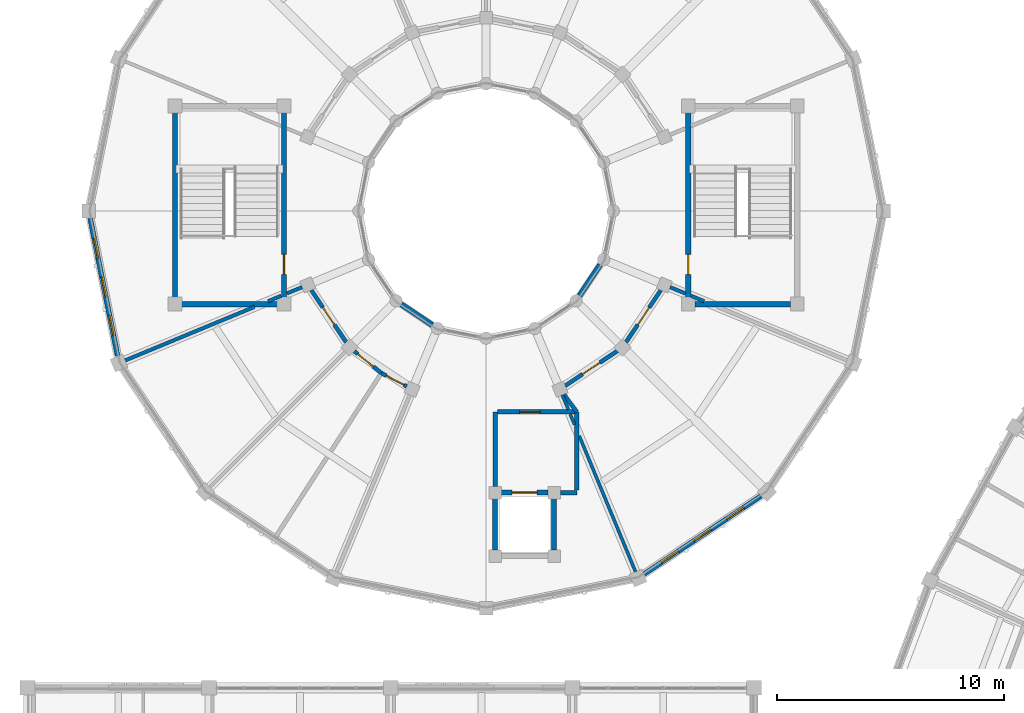
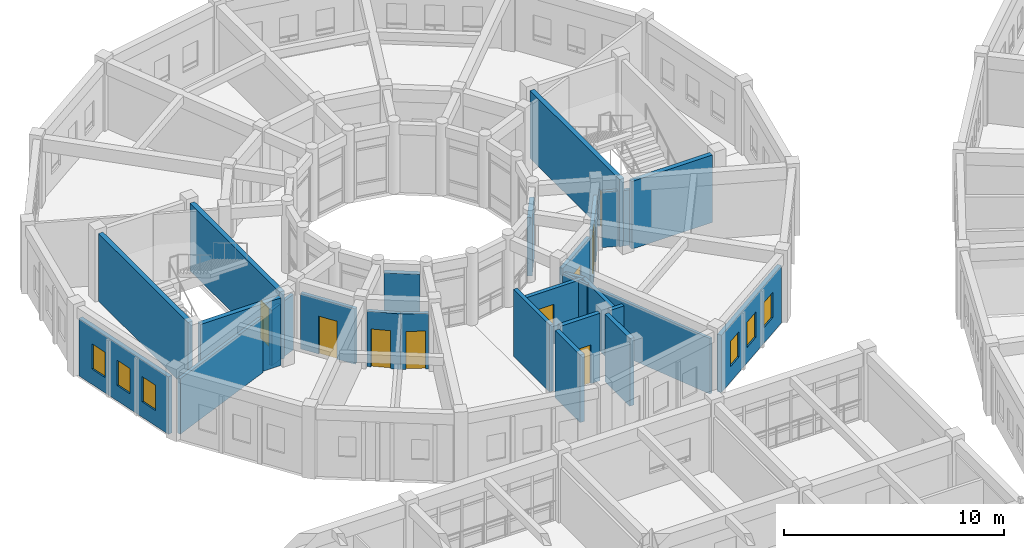
# One storey, part 84 of 112: 30 walls, 9 doors, 6 windows, 15 openings.
"""IFC4 building model written with IfcOpenShell, lengths in metres."""

from ifc_helpers import new_model, si_unit, direction, frame, frame_2d, origin, place, context, subcontext, project, spatial, rectangle, extrude, material, layer, layer_set, type_object, element, fill, save


model = new_model("IFC4")

# Units and contexts
model_context = context("Model", 3, precision=1e-05, world=origin(), true_north=direction((0.0, 1.0)))
body_context = subcontext(model_context, "Body", "Model", "MODEL_VIEW")
ifc_project = project(units=[si_unit("LENGTHUNIT", "METRE"), si_unit("AREAUNIT", "SQUARE_METRE"), si_unit("VOLUMEUNIT", "CUBIC_METRE"), si_unit("PLANEANGLEUNIT", "RADIAN"), si_unit("MASSUNIT", "GRAM", prefix="KILO")], contexts=[model_context])

# Site, building, storey
site_placement = place(None, origin())
site = spatial("IfcSite", under=ifc_project, at=site_placement, CompositionType="ELEMENT")
building_placement = place(site_placement, origin())
building = spatial("IfcBuilding", under=site, at=building_placement, Name="Celadon Cloister-Ring School", CompositionType="ELEMENT")
storey_placement = place(building_placement, frame((0.0, 0.0, 8.5)))
storey = spatial("IfcBuildingStorey", under=building, at=storey_placement, Name="L02", CompositionType="ELEMENT", Elevation=8.5)

# Walls
ifc_material_1 = material(Name="Rendered concrete blockwork", Category="masonry")
ifc_layer_1 = layer(ifc_material_1, 0.239990234375)
ifc_layer_set_1 = layer_set([ifc_layer_1], Name="Rendered concrete blockwork")
wall_type_1 = type_object("IfcWallType", Name="WT-EX3", PredefinedType="SOLIDWALL", material=ifc_layer_set_1)
for number, where, z_axis, x_axis, name in (
    (1, (16.469970703125, 92.885986328125, 0.0), (0.0, 0.0, 1.0), (0.83165874011, -0.555287078904, 0.0), "Exterior Wall 0264"),
    (2, (24.31396484375, 93.27001953125, 0.0), (0.0, 0.0, 1.0), (0.555287078904, 0.83165874011, 0.0), "Exterior Wall 0269"),
):
    element("IfcWall", number, at=place(storey_placement, frame(where, z_axis=z_axis, x_axis=x_axis)), inside=storey, type_object=wall_type_1, Name=name, PredefinedType="SOLIDWALL", context=body_context, shape_type="SweptSolid", body=[
        extrude(rectangle(XDim=1.631591796875, YDim=0.239990234375, at=frame_2d((0.81591796875, 0.0))), origin(), (0.0, 0.0, 1.0), 3.221923828125),
    ])

# Wall, openings, windows
ifc_material_2 = material(Name="Perforated terracotta clay brick masonry", Category="masonry")
ifc_layer_2 = layer(ifc_material_2, 0.219970703125)
ifc_layer_set_2 = layer_set([ifc_layer_2], Name="Perforated terracotta clay brick masonry")
wall_type_2 = type_object("IfcWallType", Name="WT-EX4", PredefinedType="SOLIDWALL", material=ifc_layer_set_2)
wall_1_placement = place(storey_placement, frame((3.968017578125, 90.6259765625, 0.0), z_axis=(0.0, 0.0, 1.0), x_axis=(-0.195164813773, 0.980770460131, 0.0)))
wall_1 = element("IfcWall", 3, at=wall_1_placement, inside=storey, type_object=wall_type_2, Name="Exterior Wall 0261", PredefinedType="SOLIDWALL", context=body_context, shape_type="SweptSolid", body=[
    extrude(rectangle(XDim=6.169677734375, YDim=0.219970703125, at=frame_2d((3.0849609375, 0.0))), origin(), (0.0, 0.0, 1.0), 3.172119140625),
])
opening_1_placement = place(wall_1_placement, frame((0.906982421875, 0.0, 0.85009765625)))
opening_1 = element("IfcOpeningElement", 4, at=opening_1_placement, cuts=wall_1, Name="Opening WN-21", PredefinedType="OPENING", context=body_context, shape_type="SweptSolid", body=[
    extrude(rectangle(XDim=0.89990234375, YDim=1.39990234375, at=frame_2d((0.449951171875, 0.699951171875))), frame((0.0, 0.1201171875, 0.0), z_axis=(0.0, -1.0, 0.0), x_axis=(1.0, 0.0, 0.0)), (0.0, 0.0, 1.0), 0.239990234375),
])
opening_2_placement = place(wall_1_placement, frame((2.635009765625, 0.0, 0.85009765625)))
opening_2 = element("IfcOpeningElement", 5, at=opening_2_placement, cuts=wall_1, Name="Opening WN-21", PredefinedType="OPENING", context=body_context, shape_type="SweptSolid", body=[
    extrude(rectangle(XDim=0.89990234375, YDim=1.39990234375, at=frame_2d((0.449951171875, 0.699951171875))), frame((0.0, 0.1201171875, 0.0), z_axis=(0.0, -1.0, 0.0), x_axis=(1.0, 0.0, 0.0)), (0.0, 0.0, 1.0), 0.239990234375),
])
opening_3_placement = place(wall_1_placement, frame((4.362060546875, 0.0, 0.85009765625)))
opening_3 = element("IfcOpeningElement", 6, at=opening_3_placement, cuts=wall_1, Name="Opening WN-21", PredefinedType="OPENING", context=body_context, shape_type="SweptSolid", body=[
    extrude(rectangle(XDim=0.89990234375, YDim=1.39990234375, at=frame_2d((0.449951171875, 0.699951171875))), frame((0.0, 0.1201171875, 0.0), z_axis=(0.0, -1.0, 0.0), x_axis=(1.0, 0.0, 0.0)), (0.0, 0.0, 1.0), 0.239990234375),
])
ifc_material_3 = material(Name="Tempered laminated insulating glass", Category="glass")
window_type = type_object("IfcWindowType", Name="WN-21", PartitioningType="SINGLE_PANEL", PredefinedType="WINDOW", material=ifc_material_3)
window_1_placement = place(opening_1_placement, origin())
window_1 = element("IfcWindow", 7, at=window_1_placement, inside=storey, type_object=window_type, Name="Window 0691", OverallHeight=1.39990234375, OverallWidth=0.89990234375, PartitioningType="SINGLE_PANEL", PredefinedType="WINDOW", context=body_context, shape_type="SweptSolid", body=[
    extrude(rectangle(XDim=0.89990234375, YDim=1.39990234375, at=frame_2d((0.449951171875, 0.699951171875))), frame((0.0, 0.030029296875, 0.0), z_axis=(0.0, -1.0, 0.0), x_axis=(1.0, 0.0, 0.0)), (0.0, 0.0, 1.0), 0.06005859375),
])
fill(opening_1, window_1)
window_2_placement = place(opening_2_placement, origin())
window_2 = element("IfcWindow", 8, at=window_2_placement, inside=storey, type_object=window_type, Name="Window 0692", OverallHeight=1.39990234375, OverallWidth=0.89990234375, PartitioningType="SINGLE_PANEL", PredefinedType="WINDOW", context=body_context, shape_type="SweptSolid", body=[
    extrude(rectangle(XDim=0.89990234375, YDim=1.39990234375, at=frame_2d((0.449951171875, 0.699951171875))), frame((0.0, 0.030029296875, 0.0), z_axis=(0.0, -1.0, 0.0), x_axis=(1.0, 0.0, 0.0)), (0.0, 0.0, 1.0), 0.06005859375),
])
fill(opening_2, window_2)
window_3_placement = place(opening_3_placement, origin())
window_3 = element("IfcWindow", 9, at=window_3_placement, inside=storey, type_object=window_type, Name="Window 0693", OverallHeight=1.39990234375, OverallWidth=0.89990234375, PartitioningType="SINGLE_PANEL", PredefinedType="WINDOW", context=body_context, shape_type="SweptSolid", body=[
    extrude(rectangle(XDim=0.89990234375, YDim=1.39990234375, at=frame_2d((0.449951171875, 0.699951171875))), frame((0.0, 0.030029296875, 0.0), z_axis=(0.0, -1.0, 0.0), x_axis=(1.0, 0.0, 0.0)), (0.0, 0.0, 1.0), 0.06005859375),
])
fill(opening_3, window_3)

wall_2_placement = place(storey_placement, frame((32.300048828125, 84.443115234375, 0.0), z_axis=(0.0, 0.0, 1.0), x_axis=(-0.831392186772, -0.55568609104, 0.0)))
wall_2 = element("IfcWall", 10, at=wall_2_placement, inside=storey, type_object=wall_type_2, Name="Exterior Wall 0267", PredefinedType="SOLIDWALL", context=body_context, shape_type="SweptSolid", body=[
    extrude(rectangle(XDim=6.16943359375, YDim=0.219970703125, at=frame_2d((3.084716796875, 0.0))), origin(), (0.0, 0.0, 1.0), 3.172119140625),
])
opening_4_placement = place(wall_2_placement, frame((0.906982421875, 0.0, 0.85009765625)))
opening_4 = element("IfcOpeningElement", 11, at=opening_4_placement, cuts=wall_2, Name="Opening WN-21", PredefinedType="OPENING", context=body_context, shape_type="SweptSolid", body=[
    extrude(rectangle(XDim=0.89990234375, YDim=1.39990234375, at=frame_2d((0.449951171875, 0.699951171875))), frame((0.0, 0.1201171875, 0.0), z_axis=(0.0, -1.0, 0.0), x_axis=(1.0, 0.0, 0.0)), (0.0, 0.0, 1.0), 0.239990234375),
])
opening_5_placement = place(wall_2_placement, frame((2.635009765625, 0.0, 0.85009765625)))
opening_5 = element("IfcOpeningElement", 12, at=opening_5_placement, cuts=wall_2, Name="Opening WN-21", PredefinedType="OPENING", context=body_context, shape_type="SweptSolid", body=[
    extrude(rectangle(XDim=0.89990234375, YDim=1.39990234375, at=frame_2d((0.449951171875, 0.699951171875))), frame((0.0, 0.1201171875, 0.0), z_axis=(0.0, -1.0, 0.0), x_axis=(1.0, 0.0, 0.0)), (0.0, 0.0, 1.0), 0.239990234375),
])
opening_6_placement = place(wall_2_placement, frame((4.362060546875, 0.0, 0.85009765625)))
opening_6 = element("IfcOpeningElement", 13, at=opening_6_placement, cuts=wall_2, Name="Opening WN-21", PredefinedType="OPENING", context=body_context, shape_type="SweptSolid", body=[
    extrude(rectangle(XDim=0.89990234375, YDim=1.39990234375, at=frame_2d((0.449951171875, 0.699951171875))), frame((0.0, 0.1201171875, 0.0), z_axis=(0.0, -1.0, 0.0), x_axis=(1.0, 0.0, 0.0)), (0.0, 0.0, 1.0), 0.239990234375),
])
window_4_placement = place(opening_4_placement, origin())
window_4 = element("IfcWindow", 14, at=window_4_placement, inside=storey, type_object=window_type, Name="Window 0705", OverallHeight=1.39990234375, OverallWidth=0.89990234375, PartitioningType="SINGLE_PANEL", PredefinedType="WINDOW", context=body_context, shape_type="SweptSolid", body=[
    extrude(rectangle(XDim=0.89990234375, YDim=1.39990234375, at=frame_2d((0.449951171875, 0.699951171875))), frame((0.0, 0.030029296875, 0.0), z_axis=(0.0, -1.0, 0.0), x_axis=(1.0, 0.0, 0.0)), (0.0, 0.0, 1.0), 0.06005859375),
])
fill(opening_4, window_4)
window_5_placement = place(opening_5_placement, origin())
window_5 = element("IfcWindow", 15, at=window_5_placement, inside=storey, type_object=window_type, Name="Window 0706", OverallHeight=1.39990234375, OverallWidth=0.89990234375, PartitioningType="SINGLE_PANEL", PredefinedType="WINDOW", context=body_context, shape_type="SweptSolid", body=[
    extrude(rectangle(XDim=0.89990234375, YDim=1.39990234375, at=frame_2d((0.449951171875, 0.699951171875))), frame((0.0, 0.030029296875, 0.0), z_axis=(0.0, -1.0, 0.0), x_axis=(1.0, 0.0, 0.0)), (0.0, 0.0, 1.0), 0.06005859375),
])
fill(opening_5, window_5)
window_6_placement = place(opening_6_placement, origin())
window_6 = element("IfcWindow", 16, at=window_6_placement, inside=storey, type_object=window_type, Name="Window 0707", OverallHeight=1.39990234375, OverallWidth=0.89990234375, PartitioningType="SINGLE_PANEL", PredefinedType="WINDOW", context=body_context, shape_type="SweptSolid", body=[
    extrude(rectangle(XDim=0.89990234375, YDim=1.39990234375, at=frame_2d((0.449951171875, 0.699951171875))), frame((0.0, 0.030029296875, 0.0), z_axis=(0.0, -1.0, 0.0), x_axis=(1.0, 0.0, 0.0)), (0.0, 0.0, 1.0), 0.06005859375),
])
fill(opening_6, window_6)

# Walls
ifc_material_4 = material(Name="Plastered hollow concrete masonry", Category="masonry")
ifc_layer_3 = layer(ifc_material_4, 0.199951171875)
ifc_layer_set_3 = layer_set([ifc_layer_3], Name="Plastered hollow concrete masonry")
wall_type_3 = type_object("IfcWallType", Name="WT-PT1", PredefinedType="PARTITIONING", material=ifc_layer_set_3)
wall_3_placement = place(storey_placement, frame((23.467041015625, 84.60009765625, 0.0), z_axis=(0.0, 0.0, 1.0), x_axis=(1.0, 0.0, 0.0)))
element("IfcWall", 17, at=wall_3_placement, inside=storey, type_object=wall_type_3, Name="Interior Wall 0355", PredefinedType="PARTITIONING", context=body_context, shape_type="SweptSolid", body=[
    extrude(rectangle(XDim=0.73291015625, YDim=0.199951171875, at=frame_2d((0.366455078125, 0.0))), origin(), (0.0, 0.0, 1.0), 3.699951171875),
])
wall_4_placement = place(storey_placement, frame((20.60009765625, 84.866943359375, 0.0), z_axis=(0.0, 0.0, 1.0), x_axis=(0.0, 1.0, 0.0)))
element("IfcWall", 18, at=wall_4_placement, inside=storey, type_object=wall_type_3, Name="Interior Wall 0356", PredefinedType="PARTITIONING", context=body_context, shape_type="SweptSolid", body=[
    extrude(rectangle(XDim=3.282958984375, YDim=0.199951171875, at=frame_2d((1.6416015625, 0.0))), origin(), (0.0, 0.0, 1.0), 3.699951171875),
])
wall_5_placement = place(storey_placement, frame((24.199951171875, 84.702880859375, 0.0), z_axis=(0.0, 0.0, 1.0), x_axis=(0.0, 1.0, 0.0)))
element("IfcWall", 19, at=wall_5_placement, inside=storey, type_object=wall_type_3, Name="Interior Wall 0357", PredefinedType="PARTITIONING", context=body_context, shape_type="SweptSolid", body=[
    extrude(rectangle(XDim=3.447021484375, YDim=0.199951171875, at=frame_2d((1.7236328125, 0.0))), origin(), (0.0, 0.0, 1.0), 3.072021484375),
])

# Wall, opening, door
wall_6_placement = place(storey_placement, frame((20.702880859375, 88.14990234375, 0.0), z_axis=(0.0, 0.0, 1.0), x_axis=(1.0, 0.0, 0.0)))
wall_6 = element("IfcWall", 20, at=wall_6_placement, inside=storey, type_object=wall_type_3, Name="Interior Wall 0358", PredefinedType="PARTITIONING", context=body_context, shape_type="SweptSolid", body=[
    extrude(rectangle(XDim=3.39404296875, YDim=0.199951171875, at=frame_2d((1.697021484375, 0.0))), origin(), (0.0, 0.0, 1.0), 3.072021484375),
])
opening_7_placement = place(wall_6_placement, frame((0.97509765625, 0.0, 0.0)))
opening_7 = element("IfcOpeningElement", 21, at=opening_7_placement, cuts=wall_6, Name="Opening D-0103", PredefinedType="OPENING", context=body_context, shape_type="SweptSolid", body=[
    extrude(rectangle(XDim=0.89990234375, YDim=2.199951171875, at=frame_2d((0.449951171875, 1.10009765625))), frame((0.0, 0.10986328125, 0.0), z_axis=(0.0, -1.0, 0.0), x_axis=(1.0, 0.0, 0.0)), (0.0, 0.0, 1.0), 0.219970703125),
])
ifc_material_5 = material(Name="Solid-core fire-rated hardwood leaf", Category="wood")
door_type_1 = type_object("IfcDoorType", Name="DT-06", OperationType="NOTDEFINED", PredefinedType="DOOR", material=ifc_material_5)
door_1_placement = place(opening_7_placement, origin())
door_1 = element("IfcDoor", 22, at=door_1_placement, inside=storey, type_object=door_type_1, Name="Door D-0103", OperationType="SINGLE_SWING_LEFT", OverallHeight=2.199951171875, OverallWidth=0.89990234375, PredefinedType="DOOR", context=body_context, shape_type="SweptSolid", body=[
    extrude(rectangle(XDim=0.89990234375, YDim=2.199951171875, at=frame_2d((0.449951171875, 1.10009765625))), frame((0.0, 0.02490234375, 0.0), z_axis=(0.0, -1.0, 0.0), x_axis=(1.0, 0.0, 0.0)), (0.0, 0.0, 1.0), 0.050048828125),
])
fill(opening_7, door_1)

ifc_material_6 = material(Name="Plastered hollow concrete masonry", Category="masonry")
ifc_layer_4 = layer(ifc_material_6, 0.179931640625)
ifc_layer_set_4 = layer_set([ifc_layer_4], Name="Plastered hollow concrete masonry")
wall_type_4 = type_object("IfcWallType", Name="WT-PT2", PredefinedType="PARTITIONING", material=ifc_layer_set_4)
wall_7_placement = place(storey_placement, frame((12.498046875, 93.52099609375, 0.0), z_axis=(0.0, 0.0, 1.0), x_axis=(0.555797002478, -0.831318045056, 0.0)))
wall_7 = element("IfcWall", 23, at=wall_7_placement, inside=storey, type_object=wall_type_4, Name="Interior Wall 0725", PredefinedType="PARTITIONING", context=body_context, shape_type="SweptSolid", body=[
    extrude(rectangle(XDim=2.772705078125, YDim=0.179931640625, at=frame_2d((1.38623046875, 0.0))), origin(), (0.0, 0.0, 1.0), 3.072021484375),
])
opening_8_placement = place(wall_7_placement, frame((0.926025390625, 0.0, 0.0)))
opening_8 = element("IfcOpeningElement", 24, at=opening_8_placement, cuts=wall_7, Name="Opening D-0264", PredefinedType="OPENING", context=body_context, shape_type="SweptSolid", body=[
    extrude(rectangle(XDim=0.919921875, YDim=2.10009765625, at=frame_2d((0.4599609375, 1.050048828125))), frame((0.0, 0.10009765625, 0.0), z_axis=(0.0, -1.0, 0.0), x_axis=(1.0, 0.0, 0.0)), (0.0, 0.0, 1.0), 0.199951171875),
])
ifc_material_7 = material(Name="Solid-core fire-rated hardwood leaf", Category="wood")
door_type_2 = type_object("IfcDoorType", Name="DT-02", OperationType="NOTDEFINED", PredefinedType="DOOR", material=ifc_material_7)
door_2_placement = place(opening_8_placement, origin())
door_2 = element("IfcDoor", 25, at=door_2_placement, inside=storey, type_object=door_type_2, Name="Door D-0264", OperationType="SINGLE_SWING_RIGHT", OverallHeight=2.10009765625, OverallWidth=0.919921875, PredefinedType="DOOR", context=body_context, shape_type="SweptSolid", body=[
    extrude(rectangle(XDim=0.919921875, YDim=2.10009765625, at=frame_2d((0.4599609375, 1.050048828125))), frame((0.0, 0.02490234375, 0.0), z_axis=(0.0, -1.0, 0.0), x_axis=(1.0, 0.0, 0.0)), (0.0, 0.0, 1.0), 0.050048828125),
])
fill(opening_8, door_2)

wall_8_placement = place(storey_placement, frame((14.39892578125, 90.821044921875, 0.0), z_axis=(0.0, 0.0, 1.0), x_axis=(0.777668191933, -0.628674942443, 0.0)))
wall_8 = element("IfcWall", 26, at=wall_8_placement, inside=storey, type_object=wall_type_4, Name="Interior Wall 0726", PredefinedType="PARTITIONING", context=body_context, shape_type="SweptSolid", body=[
    extrude(rectangle(XDim=1.530517578125, YDim=0.179931640625, at=frame_2d((0.76513671875, 0.0))), origin(), (0.0, 0.0, 1.0), 3.072021484375),
])
opening_9_placement = place(wall_8_placement, frame((0.19091796875, 0.0, 0.0)))
opening_9 = element("IfcOpeningElement", 27, at=opening_9_placement, cuts=wall_8, Name="Opening D-0265", PredefinedType="OPENING", context=body_context, shape_type="SweptSolid", body=[
    extrude(rectangle(XDim=0.8798828125, YDim=2.10009765625, at=frame_2d((0.43994140625, 1.050048828125))), frame((0.0, 0.10009765625, 0.0), z_axis=(0.0, -1.0, 0.0), x_axis=(1.0, 0.0, 0.0)), (0.0, 0.0, 1.0), 0.199951171875),
])
ifc_material_8 = material(Name="Solid-core fire-rated hardwood leaf", Category="wood")
door_type_3 = type_object("IfcDoorType", Name="DT-01", OperationType="NOTDEFINED", PredefinedType="DOOR", material=ifc_material_8)
door_3_placement = place(opening_9_placement, origin())
door_3 = element("IfcDoor", 28, at=door_3_placement, inside=storey, type_object=door_type_3, Name="Door D-0265", OperationType="SINGLE_SWING_LEFT", OverallHeight=2.10009765625, OverallWidth=0.8798828125, PredefinedType="DOOR", context=body_context, shape_type="SweptSolid", body=[
    extrude(rectangle(XDim=0.8798828125, YDim=2.10009765625, at=frame_2d((0.43994140625, 1.050048828125))), frame((0.0, 0.02490234375, 0.0), z_axis=(0.0, -1.0, 0.0), x_axis=(1.0, 0.0, 0.0)), (0.0, 0.0, 1.0), 0.050048828125),
])
fill(opening_9, door_3)

wall_9_placement = place(storey_placement, frame((15.589111328125, 89.85888671875, 0.0), z_axis=(0.0, 0.0, 1.0), x_axis=(0.88557844419, -0.464489848314, 0.0)))
wall_9 = element("IfcWall", 29, at=wall_9_placement, inside=storey, type_object=wall_type_4, Name="Interior Wall 0727", PredefinedType="PARTITIONING", context=body_context, shape_type="SweptSolid", body=[
    extrude(rectangle(XDim=1.265625, YDim=0.179931640625, at=frame_2d((0.6328125, 0.0))), origin(), (0.0, 0.0, 1.0), 3.072021484375),
])
opening_10_placement = place(wall_9_placement, frame((0.24609375, 0.0, 0.0)))
opening_10 = element("IfcOpeningElement", 30, at=opening_10_placement, cuts=wall_9, Name="Opening D-0266", PredefinedType="OPENING", context=body_context, shape_type="SweptSolid", body=[
    extrude(rectangle(XDim=0.8798828125, YDim=2.10009765625, at=frame_2d((0.43994140625, 1.050048828125))), frame((0.0, 0.10009765625, 0.0), z_axis=(0.0, -1.0, 0.0), x_axis=(1.0, 0.0, 0.0)), (0.0, 0.0, 1.0), 0.199951171875),
])
door_4_placement = place(opening_10_placement, origin())
door_4 = element("IfcDoor", 31, at=door_4_placement, inside=storey, type_object=door_type_3, Name="Door D-0266", OperationType="SINGLE_SWING_RIGHT", OverallHeight=2.10009765625, OverallWidth=0.8798828125, PredefinedType="DOOR", context=body_context, shape_type="SweptSolid", body=[
    extrude(rectangle(XDim=0.8798828125, YDim=2.10009765625, at=frame_2d((0.43994140625, 1.050048828125))), frame((0.0, 0.02490234375, 0.0), z_axis=(0.0, -1.0, 0.0), x_axis=(1.0, 0.0, 0.0)), (0.0, 0.0, 1.0), 0.050048828125),
])
fill(opening_10, door_4)

wall_10_placement = place(storey_placement, frame((23.678955078125, 89.298095703125, 0.0), z_axis=(0.0, 0.0, 1.0), x_axis=(0.831318045056, 0.555797002478, 0.0)))
wall_10 = element("IfcWall", 32, at=wall_10_placement, inside=storey, type_object=wall_type_4, Name="Interior Wall 0728", PredefinedType="PARTITIONING", context=body_context, shape_type="SweptSolid", body=[
    extrude(rectangle(XDim=2.772705078125, YDim=0.179931640625, at=frame_2d((1.38623046875, 0.0))), origin(), (0.0, 0.0, 1.0), 3.072021484375),
])
opening_11_placement = place(wall_10_placement, frame((0.926025390625, 0.0, 0.0)))
opening_11 = element("IfcOpeningElement", 33, at=opening_11_placement, cuts=wall_10, Name="Opening D-0267", PredefinedType="OPENING", context=body_context, shape_type="SweptSolid", body=[
    extrude(rectangle(XDim=0.919921875, YDim=2.10009765625, at=frame_2d((0.4599609375, 1.050048828125))), frame((0.0, 0.10009765625, 0.0), z_axis=(0.0, -1.0, 0.0), x_axis=(1.0, 0.0, 0.0)), (0.0, 0.0, 1.0), 0.199951171875),
])
door_5_placement = place(opening_11_placement, origin())
door_5 = element("IfcDoor", 34, at=door_5_placement, inside=storey, type_object=door_type_2, Name="Door D-0267", OperationType="SINGLE_SWING_LEFT", OverallHeight=2.10009765625, OverallWidth=0.919921875, PredefinedType="DOOR", context=body_context, shape_type="SweptSolid", body=[
    extrude(rectangle(XDim=0.919921875, YDim=2.10009765625, at=frame_2d((0.4599609375, 1.050048828125))), frame((0.0, 0.02490234375, 0.0), z_axis=(0.0, -1.0, 0.0), x_axis=(1.0, 0.0, 0.0)), (0.0, 0.0, 1.0), 0.050048828125),
])
fill(opening_11, door_5)

wall_11_placement = place(storey_placement, frame((26.361083984375, 91.216064453125, 0.0), z_axis=(0.0, 0.0, 1.0), x_axis=(0.555797002478, 0.831318045056, 0.0)))
wall_11 = element("IfcWall", 35, at=wall_11_placement, inside=storey, type_object=wall_type_4, Name="Interior Wall 0729", PredefinedType="PARTITIONING", context=body_context, shape_type="SweptSolid", body=[
    extrude(rectangle(XDim=2.772705078125, YDim=0.179931640625, at=frame_2d((1.38623046875, 0.0))), origin(), (0.0, 0.0, 1.0), 3.072021484375),
])
opening_12_placement = place(wall_11_placement, frame((0.926025390625, 0.0, 0.0)))
opening_12 = element("IfcOpeningElement", 36, at=opening_12_placement, cuts=wall_11, Name="Opening D-0268", PredefinedType="OPENING", context=body_context, shape_type="SweptSolid", body=[
    extrude(rectangle(XDim=0.919921875, YDim=2.10009765625, at=frame_2d((0.4599609375, 1.050048828125))), frame((0.0, 0.10009765625, 0.0), z_axis=(0.0, -1.0, 0.0), x_axis=(1.0, 0.0, 0.0)), (0.0, 0.0, 1.0), 0.199951171875),
])
door_6_placement = place(opening_12_placement, origin())
door_6 = element("IfcDoor", 37, at=door_6_placement, inside=storey, type_object=door_type_2, Name="Door D-0268", OperationType="SINGLE_SWING_RIGHT", OverallHeight=2.10009765625, OverallWidth=0.919921875, PredefinedType="DOOR", context=body_context, shape_type="SweptSolid", body=[
    extrude(rectangle(XDim=0.919921875, YDim=2.10009765625, at=frame_2d((0.4599609375, 1.050048828125))), frame((0.0, 0.02490234375, 0.0), z_axis=(0.0, -1.0, 0.0), x_axis=(1.0, 0.0, 0.0)), (0.0, 0.0, 1.0), 0.050048828125),
])
fill(opening_12, door_6)

# Walls
wall_12_placement = place(storey_placement, frame((24.199951171875, 88.14990234375, 0.0), z_axis=(0.0, 0.0, 1.0), x_axis=(-0.599589769956, 0.800307508252, 0.0)))
element("IfcWall", 38, at=wall_12_placement, inside=storey, type_object=wall_type_4, Name="Interior Wall 0730", PredefinedType="PARTITIONING", context=body_context, shape_type="SweptSolid", body=[
    extrude(rectangle(XDim=0.952392578125, YDim=0.179931640625, at=frame_2d((0.47607421875, 0.0))), origin(), (0.0, 0.0, 1.0), 3.072021484375),
])
ifc_material_9 = material(Name="Plastered hollow concrete masonry", Category="masonry")
ifc_layer_5 = layer(ifc_material_9, 0.159912109375)
ifc_layer_set_5 = layer_set([ifc_layer_5], Name="Plastered hollow concrete masonry")
wall_type_5 = type_object("IfcWallType", Name="WT-PT3", PredefinedType="PARTITIONING", material=ifc_layer_set_5)
wall_13_placement = place(storey_placement, frame((12.10009765625, 93.64501953125, 0.0), z_axis=(0.0, 0.0, 1.0), x_axis=(-0.924069600435, -0.382224245113, 0.0)))
element("IfcWall", 39, at=wall_13_placement, inside=storey, type_object=wall_type_5, Name="Interior Wall 0707", PredefinedType="PARTITIONING", context=body_context, shape_type="SweptSolid", body=[
    extrude(rectangle(XDim=0.732666015625, YDim=0.159912109375, at=frame_2d((0.3662109375, 0.0))), origin(), (0.0, 0.0, 1.0), 3.072021484375),
])
wall_14_placement = place(storey_placement, frame((11.177001953125, 93.262939453125, 0.0), z_axis=(0.0, 0.0, 1.0), x_axis=(-0.923812676193, -0.382844797933, 0.0)))
element("IfcWall", 40, at=wall_14_placement, inside=storey, type_object=wall_type_5, Name="Interior Wall 0708", PredefinedType="PARTITIONING", context=body_context, shape_type="SweptSolid", body=[
    extrude(rectangle(XDim=0.626953125, YDim=0.159912109375, at=frame_2d((0.3134765625, 0.0))), origin(), (0.0, 0.0, 1.0), 3.072021484375),
])
wall_15_placement = place(storey_placement, frame((10.00390625, 92.777099609375, 0.0), z_axis=(0.0, 0.0, 1.0), x_axis=(-0.923864955254, -0.382718623082, 0.0)))
element("IfcWall", 41, at=wall_15_placement, inside=storey, type_object=wall_type_5, Name="Interior Wall 0709", PredefinedType="PARTITIONING", context=body_context, shape_type="SweptSolid", body=[
    extrude(rectangle(XDim=6.171875, YDim=0.159912109375, at=frame_2d((3.0859375, 0.0))), origin(), (0.0, 0.0, 1.0), 3.072021484375),
])
wall_16_placement = place(storey_placement, frame((28.300048828125, 93.64501953125, 0.0), z_axis=(0.0, 0.0, 1.0), x_axis=(0.924069600435, -0.382224245113, 0.0)))
element("IfcWall", 42, at=wall_16_placement, inside=storey, type_object=wall_type_5, Name="Interior Wall 0715", PredefinedType="PARTITIONING", context=body_context, shape_type="SweptSolid", body=[
    extrude(rectangle(XDim=0.732666015625, YDim=0.159912109375, at=frame_2d((0.3662109375, 0.0))), origin(), (0.0, 0.0, 1.0), 3.072021484375),
])
wall_17_placement = place(storey_placement, frame((29.222900390625, 93.262939453125, 0.0), z_axis=(0.0, 0.0, 1.0), x_axis=(0.923812676193, -0.382844797933, 0.0)))
element("IfcWall", 43, at=wall_17_placement, inside=storey, type_object=wall_type_5, Name="Interior Wall 0716", PredefinedType="PARTITIONING", context=body_context, shape_type="SweptSolid", body=[
    extrude(rectangle(XDim=0.626953125, YDim=0.159912109375, at=frame_2d((0.3134765625, 0.0))), origin(), (0.0, 0.0, 1.0), 3.072021484375),
])
ifc_material_10 = material(Name="Acoustic mineral-wool drywall partition")
ifc_layer_6 = layer(ifc_material_10, 0.139892578125)
ifc_layer_set_6 = layer_set([ifc_layer_6], Name="Acoustic mineral-wool drywall partition")
wall_type_6 = type_object("IfcWallType", Name="WT-PT4", PredefinedType="PARTITIONING", material=ifc_layer_set_6)
wall_18_placement = place(storey_placement, frame((23.554931640625, 88.89990234375, 0.0), z_axis=(0.0, 0.0, 1.0), x_axis=(0.38278283439, -0.923838352579, 0.0)))
element("IfcWall", 44, at=wall_18_placement, inside=storey, type_object=wall_type_6, Name="Interior Wall 0712", PredefinedType="PARTITIONING", context=body_context, shape_type="SweptSolid", body=[
    extrude(rectangle(XDim=0.7001953125, YDim=0.139892578125, at=frame_2d((0.35009765625, 0.0))), origin(), (0.0, 0.0, 1.0), 3.072021484375),
])
wall_19_placement = place(storey_placement, frame((23.907958984375, 88.047119140625, 0.0), z_axis=(0.0, 0.0, 1.0), x_axis=(0.3827885685, -0.92383597669, 0.0)))
element("IfcWall", 45, at=wall_19_placement, inside=storey, type_object=wall_type_6, Name="Interior Wall 0713", PredefinedType="PARTITIONING", context=body_context, shape_type="SweptSolid", body=[
    extrude(rectangle(XDim=0.49365234375, YDim=0.139892578125, at=frame_2d((0.246826171875, 0.0))), origin(), (0.0, 0.0, 1.0), 3.072021484375),
])
wall_20_placement = place(storey_placement, frame((24.302978515625, 87.093994140625, 0.0), z_axis=(0.0, 0.0, 1.0), x_axis=(0.382682035927, -0.923880110934, 0.0)))
element("IfcWall", 46, at=wall_20_placement, inside=storey, type_object=wall_type_6, Name="Interior Wall 0714", PredefinedType="PARTITIONING", context=body_context, shape_type="SweptSolid", body=[
    extrude(rectangle(XDim=6.485595703125, YDim=0.139892578125, at=frame_2d((3.24267578125, 0.0))), origin(), (0.0, 0.0, 1.0), 3.072021484375),
])
ifc_material_11 = material(Name="Concrete C40/50", Category="concrete")
ifc_layer_7 = layer(ifc_material_11, 0.239990234375)
ifc_layer_set_7 = layer_set([ifc_layer_7], Name="Concrete C40/50")
wall_type_7 = type_object("IfcWallType", Name="WT-SH1", PredefinedType="SHEAR", material=ifc_layer_set_7)
wall_21_placement = place(storey_placement, frame((6.5, 93.19189453125, 0.0), z_axis=(0.0, 0.0, 1.0), x_axis=(0.0, 1.0, 0.0)))
element("IfcWall", 47, at=wall_21_placement, inside=storey, type_object=wall_type_7, Name="Interior Wall 0089", PredefinedType="SHEAR", context=body_context, shape_type="SweptSolid", body=[
    extrude(rectangle(XDim=8.135986328125, YDim=0.239990234375, at=frame_2d((4.06787109375, 0.0))), origin(), (0.0, 0.0, 1.0), 3.739990234375),
])

# Wall, opening, door
wall_22_placement = place(storey_placement, frame((11.300048828125, 101.327880859375, 0.0), z_axis=(0.0, 0.0, 1.0), x_axis=(0.0, -1.0, 0.0)))
wall_22 = element("IfcWall", 48, at=wall_22_placement, inside=storey, type_object=wall_type_7, Name="Interior Wall 0090", PredefinedType="SHEAR", context=body_context, shape_type="SweptSolid", body=[
    extrude(rectangle(XDim=8.135986328125, YDim=0.239990234375, at=frame_2d((4.06787109375, 0.0))), origin(), (0.0, 0.0, 1.0), 3.739990234375),
])
opening_13_placement = place(wall_22_placement, frame((6.243896484375, 0.0, 0.0)))
opening_13 = element("IfcOpeningElement", 49, at=opening_13_placement, cuts=wall_22, Name="Opening D-0055", PredefinedType="OPENING", context=body_context, shape_type="SweptSolid", body=[
    extrude(rectangle(XDim=0.8798828125, YDim=2.10009765625, at=frame_2d((0.43994140625, 1.050048828125))), frame((0.0, 0.1298828125, 0.0), z_axis=(0.0, -1.0, 0.0), x_axis=(1.0, 0.0, 0.0)), (0.0, 0.0, 1.0), 0.260009765625),
])
door_7_placement = place(opening_13_placement, origin())
door_7 = element("IfcDoor", 50, at=door_7_placement, inside=storey, type_object=door_type_3, Name="Door D-0055", OperationType="SINGLE_SWING_LEFT", OverallHeight=2.10009765625, OverallWidth=0.8798828125, PredefinedType="DOOR", context=body_context, shape_type="SweptSolid", body=[
    extrude(rectangle(XDim=0.8798828125, YDim=2.10009765625, at=frame_2d((0.43994140625, 1.050048828125))), frame((0.0, 0.02490234375, 0.0), z_axis=(0.0, -1.0, 0.0), x_axis=(1.0, 0.0, 0.0)), (0.0, 0.0, 1.0), 0.050048828125),
])
fill(opening_13, door_7)

# Wall
wall_23_placement = place(storey_placement, frame((11.008056640625, 92.89990234375, 0.0), z_axis=(0.0, 0.0, 1.0), x_axis=(-1.0, 0.0, 0.0)))
element("IfcWall", 51, at=wall_23_placement, inside=storey, type_object=wall_type_7, Name="Interior Wall 0091", PredefinedType="SHEAR", context=body_context, shape_type="SweptSolid", body=[
    extrude(rectangle(XDim=4.216064453125, YDim=0.239990234375, at=frame_2d((2.10791015625, 0.0))), origin(), (0.0, 0.0, 1.0), 3.739990234375),
])

# Wall, opening, door
wall_24_placement = place(storey_placement, frame((29.10009765625, 93.19189453125, 0.0), z_axis=(0.0, 0.0, 1.0), x_axis=(0.0, 1.0, 0.0)))
wall_24 = element("IfcWall", 52, at=wall_24_placement, inside=storey, type_object=wall_type_7, Name="Interior Wall 0105", PredefinedType="SHEAR", context=body_context, shape_type="SweptSolid", body=[
    extrude(rectangle(XDim=8.135986328125, YDim=0.239990234375, at=frame_2d((4.06787109375, 0.0))), origin(), (0.0, 0.0, 1.0), 3.739990234375),
])
opening_14_placement = place(wall_24_placement, frame((1.011962890625, 0.0, 0.0)))
opening_14 = element("IfcOpeningElement", 53, at=opening_14_placement, cuts=wall_24, Name="Opening D-0059", PredefinedType="OPENING", context=body_context, shape_type="SweptSolid", body=[
    extrude(rectangle(XDim=0.8798828125, YDim=2.10009765625, at=frame_2d((0.43994140625, 1.050048828125))), frame((0.0, 0.1298828125, 0.0), z_axis=(0.0, -1.0, 0.0), x_axis=(1.0, 0.0, 0.0)), (0.0, 0.0, 1.0), 0.260009765625),
])
door_8_placement = place(opening_14_placement, origin())
door_8 = element("IfcDoor", 54, at=door_8_placement, inside=storey, type_object=door_type_3, Name="Door D-0059", OperationType="SINGLE_SWING_LEFT", OverallHeight=2.10009765625, OverallWidth=0.8798828125, PredefinedType="DOOR", context=body_context, shape_type="SweptSolid", body=[
    extrude(rectangle(XDim=0.8798828125, YDim=2.10009765625, at=frame_2d((0.43994140625, 1.050048828125))), frame((0.0, 0.02490234375, 0.0), z_axis=(0.0, -1.0, 0.0), x_axis=(1.0, 0.0, 0.0)), (0.0, 0.0, 1.0), 0.050048828125),
])
fill(opening_14, door_8)

# Walls
wall_25_placement = place(storey_placement, frame((33.60791015625, 92.89990234375, 0.0), z_axis=(0.0, 0.0, 1.0), x_axis=(-1.0, 0.0, 0.0)))
element("IfcWall", 55, at=wall_25_placement, inside=storey, type_object=wall_type_7, Name="Interior Wall 0107", PredefinedType="SHEAR", context=body_context, shape_type="SweptSolid", body=[
    extrude(rectangle(XDim=4.2158203125, YDim=0.239990234375, at=frame_2d((2.10791015625, 0.0))), origin(), (0.0, 0.0, 1.0), 3.739990234375),
])
ifc_material_12 = material(Name="Concrete C40/50", Category="concrete")
ifc_layer_8 = layer(ifc_material_12, 0.219970703125)
ifc_layer_set_8 = layer_set([ifc_layer_8], Name="Concrete C40/50")
wall_type_8 = type_object("IfcWallType", Name="WT-SH2", PredefinedType="SHEAR", material=ifc_layer_set_8)
wall_26_placement = place(storey_placement, frame((23.199951171875, 82.06689453125, 0.0), z_axis=(0.0, 0.0, 1.0), x_axis=(0.0, 1.0, 0.0)))
element("IfcWall", 56, at=wall_26_placement, inside=storey, type_object=wall_type_8, Name="Interior Wall 0352", PredefinedType="SHEAR", context=body_context, shape_type="SweptSolid", body=[
    extrude(rectangle(XDim=2.26611328125, YDim=0.219970703125, at=frame_2d((1.133056640625, 0.0))), origin(), (0.0, 0.0, 1.0), 3.739990234375),
])

# Wall, opening, door
wall_27_placement = place(storey_placement, frame((22.93310546875, 84.60009765625, 0.0), z_axis=(0.0, 0.0, 1.0), x_axis=(-1.0, 0.0, 0.0)))
wall_27 = element("IfcWall", 57, at=wall_27_placement, inside=storey, type_object=wall_type_8, Name="Interior Wall 0353", PredefinedType="SHEAR", context=body_context, shape_type="SweptSolid", body=[
    extrude(rectangle(XDim=2.066162109375, YDim=0.219970703125, at=frame_2d((1.033203125, 0.0))), origin(), (0.0, 0.0, 1.0), 3.739990234375),
])
opening_15_placement = place(wall_27_placement, frame((0.48291015625, 0.0, 0.0)))
opening_15 = element("IfcOpeningElement", 58, at=opening_15_placement, cuts=wall_27, Name="Opening LD-019", PredefinedType="OPENING", context=body_context, shape_type="SweptSolid", body=[
    extrude(rectangle(XDim=1.10009765625, YDim=2.14990234375, at=frame_2d((0.550048828125, 1.074951171875))), frame((0.0, 0.1201171875, 0.0), z_axis=(0.0, -1.0, 0.0), x_axis=(1.0, 0.0, 0.0)), (0.0, 0.0, 1.0), 0.239990234375),
])
ifc_material_13 = material(Name="Galvanised fire-rated hollow steel leaf", Category="steel")
door_type_4 = type_object("IfcDoorType", Name="DT-LD1", OperationType="DOUBLE_DOOR_SLIDING", PredefinedType="DOOR", material=ifc_material_13)
door_9_placement = place(opening_15_placement, origin())
door_9 = element("IfcDoor", 59, at=door_9_placement, inside=storey, type_object=door_type_4, Name="Door LD-019", OperationType="DOUBLE_DOOR_SLIDING", OverallHeight=2.14990234375, OverallWidth=1.10009765625, PredefinedType="DOOR", context=body_context, shape_type="SweptSolid", body=[
    extrude(rectangle(XDim=1.10009765625, YDim=2.14990234375, at=frame_2d((0.550048828125, 1.074951171875))), frame((0.0, 0.02490234375, 0.0), z_axis=(0.0, -1.0, 0.0), x_axis=(1.0, 0.0, 0.0)), (0.0, 0.0, 1.0), 0.050048828125),
])
fill(opening_15, door_9)

# Wall
wall_28_placement = place(storey_placement, frame((20.60009765625, 84.3330078125, 0.0), z_axis=(0.0, 0.0, 1.0), x_axis=(0.0, -1.0, 0.0)))
element("IfcWall", 60, at=wall_28_placement, inside=storey, type_object=wall_type_8, Name="Interior Wall 0354", PredefinedType="SHEAR", context=body_context, shape_type="SweptSolid", body=[
    extrude(rectangle(XDim=2.26611328125, YDim=0.219970703125, at=frame_2d((1.133056640625, 0.0))), origin(), (0.0, 0.0, 1.0), 3.739990234375),
])

save(model, "model.ifc")
